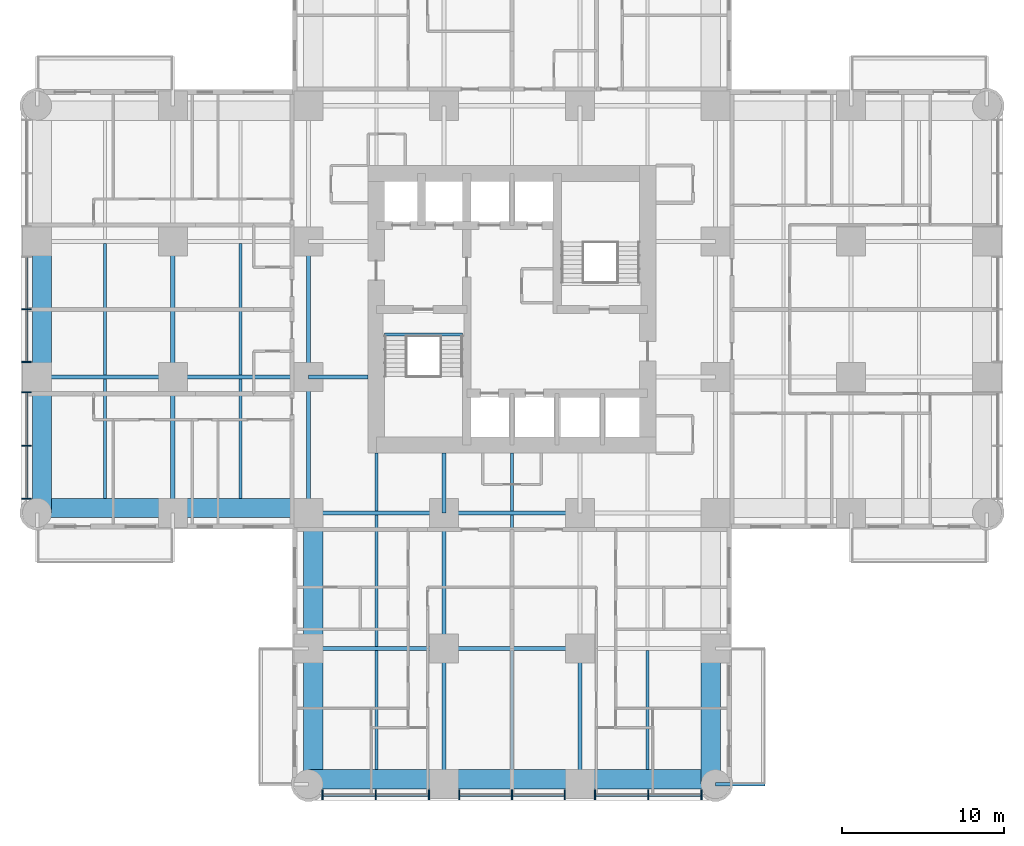
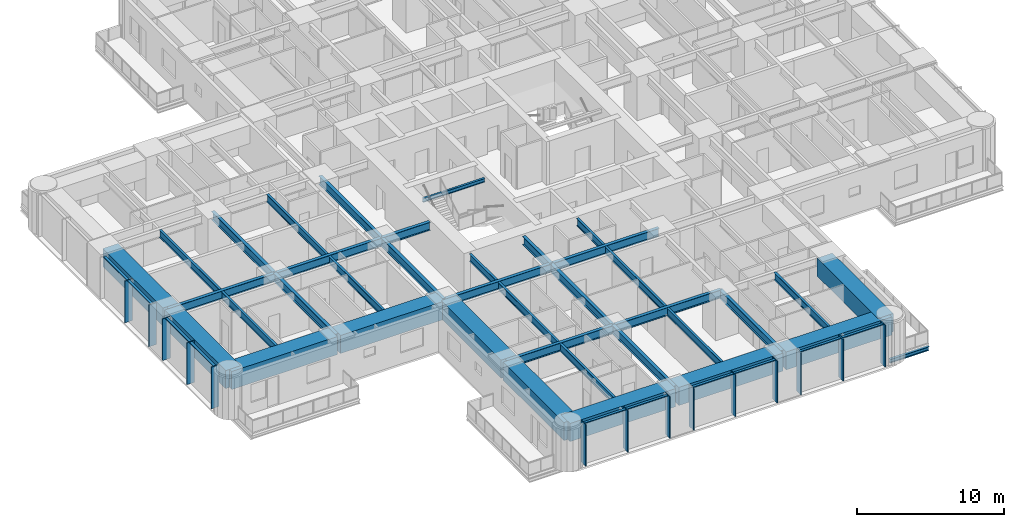
# One storey, part 2 of 17: 38 beams, 24 members, 2 elements without a shape of their own.
"""IFC4 building model written with IfcOpenShell, lengths in metres."""

from ifc_helpers import new_model, si_unit, direction, frame, origin, origin_2d, place, context, subcontext, project, spatial, rectangle, i_section, extrude, material, material_profile, profile_set, type_object, element, aggregate, save


model = new_model("IFC4")

# Units and contexts
model_context = context("Model", 3, precision=1e-05, world=origin(), true_north=direction((0.0, 1.0)))
body_context = subcontext(model_context, "Body", "Model", "MODEL_VIEW")
ifc_project = project(units=[si_unit("LENGTHUNIT", "METRE"), si_unit("AREAUNIT", "SQUARE_METRE"), si_unit("VOLUMEUNIT", "CUBIC_METRE"), si_unit("PLANEANGLEUNIT", "RADIAN"), si_unit("MASSUNIT", "GRAM", prefix="KILO")], contexts=[model_context])

# Site, building, storey
site_placement = place(None, origin())
site = spatial("IfcSite", under=ifc_project, at=site_placement, CompositionType="ELEMENT")
building_placement = place(site_placement, origin())
building = spatial("IfcBuilding", under=site, at=building_placement, Name="Torre Alcanfor", CompositionType="ELEMENT")
storey_placement = place(building_placement, frame((0.0, 0.0, 63.300048828125)))
storey = spatial("IfcBuildingStorey", under=building, at=storey_placement, Name="L15", CompositionType="ELEMENT", Elevation=63.300048828125)

# Beam
ifc_material_1 = material(Name="Steel ASTM A992 Grade 50", Category="steel")
ifc_material_profile_1 = material_profile(ifc_material_1, i_section(OverallWidth=0.205322265625, OverallDepth=0.309814453125, WebThickness=0.00927734375, FlangeThickness=0.016357421875, at=origin_2d()), Name="W12x50")
ifc_profile_set_1 = profile_set([ifc_material_profile_1], Name="Steel ASTM A992 Grade 50")
beam_type_1 = type_object("IfcBeamType", Name="Balcony cantilever beam W12x50", PredefinedType="BEAM", material=ifc_profile_set_1)
beam_1_placement = place(storey_placement, frame((42.0, 0.0, -0.35498046875), z_axis=(1.0, 0.0, 0.0), x_axis=(0.0, 1.0, 0.0)))
element("IfcBeam", 1, at=beam_1_placement, inside=storey, type_object=beam_type_1, Name="Balcony cantilever beam L15-S1 2", PredefinedType="BEAM", context=body_context, shape_type="SweptSolid", body=[
    extrude(i_section(OverallWidth=0.205322265625, OverallDepth=0.309814453125, WebThickness=0.00927734375, FlangeThickness=0.016357421875, at=origin_2d()), origin(), (0.0, 0.0, 1.0), 3.050048828125),
])

# Curtain wall, members
ifc_material_2 = material(Name="Aluminium and glass", Category="aluminium")
curtain_wall_type = type_object("IfcCurtainWallType", Name="CW-A unitised apartment glazing with vertical FIN", PredefinedType="NOTDEFINED", material=ifc_material_2)
curtain_wall_1_placement = place(storey_placement, origin())
curtain_wall_1 = element("IfcCurtainWall", 2, at=curtain_wall_1_placement, inside=storey, type_object=curtain_wall_type, Name="Curtain wall CW-A L15 2", PredefinedType="NOTDEFINED")
ifc_material_3 = material(Name="Bronze anodised aluminium", Category="aluminium")
ifc_material_profile_2 = material_profile(ifc_material_3, rectangle(XDim=0.60009765625, YDim=0.06494140625, at=origin_2d()), Name="CW-A mullion 65x600")
ifc_profile_set_2 = profile_set([ifc_material_profile_2], Name="Bronze anodised aluminium")
member_type_1 = type_object("IfcMemberType", Name="CW-A mullion with vertical FIN 65x600", PredefinedType="MULLION", material=ifc_profile_set_2)
member_1_placement = place(storey_placement, frame((-0.64990234375, 29.39990234375, 0.0), z_axis=(0.0, 0.0, 1.0), x_axis=(1.0, 0.0, 0.0)))
member_1 = element("IfcMember", 3, at=member_1_placement, type_object=member_type_1, Name="CW-A mullion 2.2", PredefinedType="MULLION", context=body_context, shape_type="SweptSolid", body=[
    extrude(rectangle(XDim=0.60009765625, YDim=0.06494140625, at=origin_2d()), origin(), (0.0, 0.0, 1.0), 3.449951171875),
])
member_2_placement = place(storey_placement, frame((-0.64990234375, 26.137451171875, 0.0), z_axis=(0.0, 0.0, 1.0), x_axis=(1.0, 0.0, 0.0)))
member_2 = element("IfcMember", 4, at=member_2_placement, type_object=member_type_1, Name="CW-A mullion 2.3", PredefinedType="MULLION", context=body_context, shape_type="SweptSolid", body=[
    extrude(rectangle(XDim=0.60009765625, YDim=0.06494140625, at=origin_2d()), origin(), (0.0, 0.0, 1.0), 3.449951171875),
])
member_3_placement = place(storey_placement, frame((-0.64990234375, 24.262451171875, 0.0), z_axis=(0.0, 0.0, 1.0), x_axis=(1.0, 0.0, 0.0)))
member_3 = element("IfcMember", 5, at=member_3_placement, type_object=member_type_1, Name="CW-A mullion 3.1", PredefinedType="MULLION", context=body_context, shape_type="SweptSolid", body=[
    extrude(rectangle(XDim=0.60009765625, YDim=0.06494140625, at=origin_2d()), origin(), (0.0, 0.0, 1.0), 3.449951171875),
])
member_4_placement = place(storey_placement, frame((-0.64990234375, 20.96484375, 0.0), z_axis=(0.0, 0.0, 1.0), x_axis=(1.0, 0.0, 0.0)))
member_4 = element("IfcMember", 6, at=member_4_placement, type_object=member_type_1, Name="CW-A mullion 3.2", PredefinedType="MULLION", context=body_context, shape_type="SweptSolid", body=[
    extrude(rectangle(XDim=0.60009765625, YDim=0.06494140625, at=origin_2d()), origin(), (0.0, 0.0, 1.0), 3.449951171875),
])
member_5_placement = place(storey_placement, frame((-0.64990234375, 17.6669921875, 0.0), z_axis=(0.0, 0.0, 1.0), x_axis=(1.0, 0.0, 0.0)))
member_5 = element("IfcMember", 7, at=member_5_placement, type_object=member_type_1, Name="CW-A mullion 3.3", PredefinedType="MULLION", context=body_context, shape_type="SweptSolid", body=[
    extrude(rectangle(XDim=0.60009765625, YDim=0.06494140625, at=origin_2d()), origin(), (0.0, 0.0, 1.0), 3.449951171875),
])

curtain_wall_2_placement = place(storey_placement, origin())
curtain_wall_2 = element("IfcCurtainWall", 8, at=curtain_wall_2_placement, inside=storey, type_object=curtain_wall_type, Name="Curtain wall CW-A L15 5", PredefinedType="NOTDEFINED")
member_6_placement = place(storey_placement, frame((17.6669921875, -0.64990234375, 0.0), z_axis=(0.0, 0.0, 1.0), x_axis=(0.0, 1.0, 0.0)))
member_6 = element("IfcMember", 9, at=member_6_placement, type_object=member_type_1, Name="CW-A mullion 1.1", PredefinedType="MULLION", context=body_context, shape_type="SweptSolid", body=[
    extrude(rectangle(XDim=0.60009765625, YDim=0.06494140625, at=origin_2d()), origin(), (0.0, 0.0, 1.0), 3.449951171875),
])
member_7_placement = place(storey_placement, frame((20.96484375, -0.64990234375, 0.0), z_axis=(0.0, 0.0, 1.0), x_axis=(0.0, 1.0, 0.0)))
member_7 = element("IfcMember", 10, at=member_7_placement, type_object=member_type_1, Name="CW-A mullion 1.2", PredefinedType="MULLION", context=body_context, shape_type="SweptSolid", body=[
    extrude(rectangle(XDim=0.60009765625, YDim=0.06494140625, at=origin_2d()), origin(), (0.0, 0.0, 1.0), 3.449951171875),
])
member_8_placement = place(storey_placement, frame((24.262451171875, -0.64990234375, 0.0), z_axis=(0.0, 0.0, 1.0), x_axis=(0.0, 1.0, 0.0)))
member_8 = element("IfcMember", 11, at=member_8_placement, type_object=member_type_1, Name="CW-A mullion 1.3", PredefinedType="MULLION", context=body_context, shape_type="SweptSolid", body=[
    extrude(rectangle(XDim=0.60009765625, YDim=0.06494140625, at=origin_2d()), origin(), (0.0, 0.0, 1.0), 3.449951171875),
])
member_9_placement = place(storey_placement, frame((26.137451171875, -0.64990234375, 0.0), z_axis=(0.0, 0.0, 1.0), x_axis=(0.0, 1.0, 0.0)))
member_9 = element("IfcMember", 12, at=member_9_placement, type_object=member_type_1, Name="CW-A mullion 2.1", PredefinedType="MULLION", context=body_context, shape_type="SweptSolid", body=[
    extrude(rectangle(XDim=0.60009765625, YDim=0.06494140625, at=origin_2d()), origin(), (0.0, 0.0, 1.0), 3.449951171875),
])
member_10_placement = place(storey_placement, frame((29.39990234375, -0.64990234375, 0.0), z_axis=(0.0, 0.0, 1.0), x_axis=(0.0, 1.0, 0.0)))
member_10 = element("IfcMember", 13, at=member_10_placement, type_object=member_type_1, Name="CW-A mullion 2.2", PredefinedType="MULLION", context=body_context, shape_type="SweptSolid", body=[
    extrude(rectangle(XDim=0.60009765625, YDim=0.06494140625, at=origin_2d()), origin(), (0.0, 0.0, 1.0), 3.449951171875),
])
member_11_placement = place(storey_placement, frame((32.66259765625, -0.64990234375, 0.0), z_axis=(0.0, 0.0, 1.0), x_axis=(0.0, 1.0, 0.0)))
member_11 = element("IfcMember", 14, at=member_11_placement, type_object=member_type_1, Name="CW-A mullion 2.3", PredefinedType="MULLION", context=body_context, shape_type="SweptSolid", body=[
    extrude(rectangle(XDim=0.60009765625, YDim=0.06494140625, at=origin_2d()), origin(), (0.0, 0.0, 1.0), 3.449951171875),
])
member_12_placement = place(storey_placement, frame((34.53759765625, -0.64990234375, 0.0), z_axis=(0.0, 0.0, 1.0), x_axis=(0.0, 1.0, 0.0)))
member_12 = element("IfcMember", 15, at=member_12_placement, type_object=member_type_1, Name="CW-A mullion 3.1", PredefinedType="MULLION", context=body_context, shape_type="SweptSolid", body=[
    extrude(rectangle(XDim=0.60009765625, YDim=0.06494140625, at=origin_2d()), origin(), (0.0, 0.0, 1.0), 3.449951171875),
])
member_13_placement = place(storey_placement, frame((37.835205078125, -0.64990234375, 0.0), z_axis=(0.0, 0.0, 1.0), x_axis=(0.0, 1.0, 0.0)))
member_13 = element("IfcMember", 16, at=member_13_placement, type_object=member_type_1, Name="CW-A mullion 3.2", PredefinedType="MULLION", context=body_context, shape_type="SweptSolid", body=[
    extrude(rectangle(XDim=0.60009765625, YDim=0.06494140625, at=origin_2d()), origin(), (0.0, 0.0, 1.0), 3.449951171875),
])
member_14_placement = place(storey_placement, frame((41.133056640625, -0.64990234375, 0.0), z_axis=(0.0, 0.0, 1.0), x_axis=(0.0, 1.0, 0.0)))
member_14 = element("IfcMember", 17, at=member_14_placement, type_object=member_type_1, Name="CW-A mullion 3.3", PredefinedType="MULLION", context=body_context, shape_type="SweptSolid", body=[
    extrude(rectangle(XDim=0.60009765625, YDim=0.06494140625, at=origin_2d()), origin(), (0.0, 0.0, 1.0), 3.449951171875),
])

# Member
ifc_material_4 = material(Name="Extruded aluminium", Category="aluminium")
ifc_material_profile_3 = material_profile(ifc_material_4, rectangle(XDim=0.199951171875, YDim=0.06494140625, at=origin_2d()), Name="CW-A transom 200x65")
ifc_profile_set_3 = profile_set([ifc_material_profile_3], Name="Extruded aluminium")
member_type_2 = type_object("IfcMemberType", Name="CW-A transom 65x200", PredefinedType="USERDEFINED", material=ifc_profile_set_3)
member_15_placement = place(storey_placement, frame((-0.64990234375, 32.6298828125, 3.41748046875), z_axis=(0.0, -1.0, 0.0), x_axis=(1.0, 0.0, 0.0)))
member_15 = element("IfcMember", 18, at=member_15_placement, type_object=member_type_2, Name="CW-A transom 2.1.2", ObjectType="TRANSOM", PredefinedType="USERDEFINED", context=body_context, shape_type="SweptSolid", body=[
    extrude(rectangle(XDim=0.199951171875, YDim=0.06494140625, at=origin_2d()), origin(), (0.0, 0.0, 1.0), 3.197265625),
])

member_16_placement = place(storey_placement, frame((-0.64990234375, 29.367431640625, 3.41748046875), z_axis=(0.0, -1.0, 0.0), x_axis=(1.0, 0.0, 0.0)))
member_16 = element("IfcMember", 19, at=member_16_placement, type_object=member_type_2, Name="CW-A transom 2.2.2", ObjectType="TRANSOM", PredefinedType="USERDEFINED", context=body_context, shape_type="SweptSolid", body=[
    extrude(rectangle(XDim=0.199951171875, YDim=0.06494140625, at=origin_2d()), origin(), (0.0, 0.0, 1.0), 3.197509765625),
])

member_17_placement = place(storey_placement, frame((-0.64990234375, 24.22998046875, 3.41748046875), z_axis=(0.0, -1.0, 0.0), x_axis=(1.0, 0.0, 0.0)))
member_17 = element("IfcMember", 20, at=member_17_placement, type_object=member_type_2, Name="CW-A transom 3.1.2", ObjectType="TRANSOM", PredefinedType="USERDEFINED", context=body_context, shape_type="SweptSolid", body=[
    extrude(rectangle(XDim=0.199951171875, YDim=0.06494140625, at=origin_2d()), origin(), (0.0, 0.0, 1.0), 3.232666015625),
])

member_18_placement = place(storey_placement, frame((-0.64990234375, 20.93212890625, 3.41748046875), z_axis=(0.0, -1.0, 0.0), x_axis=(1.0, 0.0, 0.0)))
member_18 = element("IfcMember", 21, at=member_18_placement, type_object=member_type_2, Name="CW-A transom 3.2.2", ObjectType="TRANSOM", PredefinedType="USERDEFINED", context=body_context, shape_type="SweptSolid", body=[
    extrude(rectangle(XDim=0.199951171875, YDim=0.06494140625, at=origin_2d()), origin(), (0.0, 0.0, 1.0), 3.232666015625),
])

aggregate(curtain_wall_1, [member_1, member_2, member_15, member_16, member_3, member_4, member_5, member_17, member_18])

member_19_placement = place(storey_placement, frame((17.699462890625, -0.64990234375, 3.41748046875), z_axis=(1.0, 0.0, 0.0), x_axis=(0.0, 1.0, 0.0)))
member_19 = element("IfcMember", 22, at=member_19_placement, type_object=member_type_2, Name="CW-A transom 1.1.2", ObjectType="TRANSOM", PredefinedType="USERDEFINED", context=body_context, shape_type="SweptSolid", body=[
    extrude(rectangle(XDim=0.199951171875, YDim=0.06494140625, at=origin_2d()), origin(), (0.0, 0.0, 1.0), 3.232666015625),
])

member_20_placement = place(storey_placement, frame((20.997314453125, -0.64990234375, 3.41748046875), z_axis=(1.0, 0.0, 0.0), x_axis=(0.0, 1.0, 0.0)))
member_20 = element("IfcMember", 23, at=member_20_placement, type_object=member_type_2, Name="CW-A transom 1.2.2", ObjectType="TRANSOM", PredefinedType="USERDEFINED", context=body_context, shape_type="SweptSolid", body=[
    extrude(rectangle(XDim=0.199951171875, YDim=0.06494140625, at=origin_2d()), origin(), (0.0, 0.0, 1.0), 3.232666015625),
])

member_21_placement = place(storey_placement, frame((26.169921875, -0.64990234375, 3.41748046875), z_axis=(1.0, 0.0, 0.0), x_axis=(0.0, 1.0, 0.0)))
member_21 = element("IfcMember", 24, at=member_21_placement, type_object=member_type_2, Name="CW-A transom 2.1.2", ObjectType="TRANSOM", PredefinedType="USERDEFINED", context=body_context, shape_type="SweptSolid", body=[
    extrude(rectangle(XDim=0.199951171875, YDim=0.06494140625, at=origin_2d()), origin(), (0.0, 0.0, 1.0), 3.197509765625),
])

member_22_placement = place(storey_placement, frame((29.4326171875, -0.64990234375, 3.41748046875), z_axis=(1.0, 0.0, 0.0), x_axis=(0.0, 1.0, 0.0)))
member_22 = element("IfcMember", 25, at=member_22_placement, type_object=member_type_2, Name="CW-A transom 2.2.2", ObjectType="TRANSOM", PredefinedType="USERDEFINED", context=body_context, shape_type="SweptSolid", body=[
    extrude(rectangle(XDim=0.199951171875, YDim=0.06494140625, at=origin_2d()), origin(), (0.0, 0.0, 1.0), 3.197265625),
])

member_23_placement = place(storey_placement, frame((34.570068359375, -0.64990234375, 3.41748046875), z_axis=(1.0, 0.0, 0.0), x_axis=(0.0, 1.0, 0.0)))
member_23 = element("IfcMember", 26, at=member_23_placement, type_object=member_type_2, Name="CW-A transom 3.1.2", ObjectType="TRANSOM", PredefinedType="USERDEFINED", context=body_context, shape_type="SweptSolid", body=[
    extrude(rectangle(XDim=0.199951171875, YDim=0.06494140625, at=origin_2d()), origin(), (0.0, 0.0, 1.0), 3.232666015625),
])

member_24_placement = place(storey_placement, frame((37.86767578125, -0.64990234375, 3.41748046875), z_axis=(1.0, 0.0, 0.0), x_axis=(0.0, 1.0, 0.0)))
member_24 = element("IfcMember", 27, at=member_24_placement, type_object=member_type_2, Name="CW-A transom 3.2.2", ObjectType="TRANSOM", PredefinedType="USERDEFINED", context=body_context, shape_type="SweptSolid", body=[
    extrude(rectangle(XDim=0.199951171875, YDim=0.06494140625, at=origin_2d()), origin(), (0.0, 0.0, 1.0), 3.23291015625),
])

aggregate(curtain_wall_2, [member_6, member_7, member_8, member_19, member_20, member_9, member_10, member_11, member_21, member_22, member_12, member_13, member_14, member_23, member_24])

# Beams
ifc_material_5 = material(Name="Steel ASTM A992 Grade 50", Category="steel")
ifc_material_profile_4 = material_profile(ifc_material_5, i_section(OverallWidth=0.25390625, OverallDepth=0.683349609375, WebThickness=0.012451171875, FlangeThickness=0.01904296875, at=origin_2d()), Name="W27x94")
ifc_profile_set_4 = profile_set([ifc_material_profile_4], Name="Steel ASTM A992 Grade 50")
beam_type_2 = type_object("IfcBeamType", Name="Girder W27x94", PredefinedType="BEAM", material=ifc_profile_set_4)
beam_2_placement = place(storey_placement, frame((16.800048828125, 8.39990234375, 3.1083984375), z_axis=(1.0, 0.0, 0.0), x_axis=(0.0, 1.0, 0.0)))
element("IfcBeam", 28, at=beam_2_placement, inside=storey, type_object=beam_type_2, Name="Beam 3D-4D under L16", PredefinedType="BEAM", context=body_context, shape_type="SweptSolid", body=[
    extrude(i_section(OverallWidth=0.25390625, OverallDepth=0.683349609375, WebThickness=0.012451171875, FlangeThickness=0.01904296875, at=origin_2d()), origin(), (0.0, 0.0, 1.0), 8.39990234375),
])
beam_3_placement = place(storey_placement, frame((25.199951171875, 8.39990234375, 3.1083984375), z_axis=(1.0, 0.0, 0.0), x_axis=(0.0, 1.0, 0.0)))
element("IfcBeam", 29, at=beam_3_placement, inside=storey, type_object=beam_type_2, Name="Beam 4D-5D under L16", PredefinedType="BEAM", context=body_context, shape_type="SweptSolid", body=[
    extrude(i_section(OverallWidth=0.25390625, OverallDepth=0.683349609375, WebThickness=0.012451171875, FlangeThickness=0.01904296875, at=origin_2d()), origin(), (0.0, 0.0, 1.0), 8.400146484375),
])
beam_4_placement = place(storey_placement, frame((16.800048828125, 16.800048828125, 3.1083984375), z_axis=(1.0, 0.0, 0.0), x_axis=(0.0, 1.0, 0.0)))
element("IfcBeam", 30, at=beam_4_placement, inside=storey, type_object=beam_type_2, Name="Beam 3E-4E under L16", PredefinedType="BEAM", context=body_context, shape_type="SweptSolid", body=[
    extrude(i_section(OverallWidth=0.25390625, OverallDepth=0.683349609375, WebThickness=0.012451171875, FlangeThickness=0.01904296875, at=origin_2d()), origin(), (0.0, 0.0, 1.0), 8.39990234375),
])
beam_5_placement = place(storey_placement, frame((25.199951171875, 16.800048828125, 3.1083984375), z_axis=(1.0, 0.0, 0.0), x_axis=(0.0, 1.0, 0.0)))
element("IfcBeam", 31, at=beam_5_placement, inside=storey, type_object=beam_type_2, Name="Beam 4E-5E under L16", PredefinedType="BEAM", context=body_context, shape_type="SweptSolid", body=[
    extrude(i_section(OverallWidth=0.25390625, OverallDepth=0.683349609375, WebThickness=0.012451171875, FlangeThickness=0.01904296875, at=origin_2d()), origin(), (0.0, 0.0, 1.0), 8.400146484375),
])
beam_6_placement = place(storey_placement, frame((0.0, 25.199951171875, 3.1083984375), z_axis=(1.0, 0.0, 0.0), x_axis=(0.0, 1.0, 0.0)))
element("IfcBeam", 32, at=beam_6_placement, inside=storey, type_object=beam_type_2, Name="Beam 1F-2F under L16", PredefinedType="BEAM", context=body_context, shape_type="SweptSolid", body=[
    extrude(i_section(OverallWidth=0.25390625, OverallDepth=0.683349609375, WebThickness=0.012451171875, FlangeThickness=0.01904296875, at=origin_2d()), origin(), (0.0, 0.0, 1.0), 8.39990234375),
])
beam_7_placement = place(storey_placement, frame((8.39990234375, 25.199951171875, 3.1083984375), z_axis=(1.0, 0.0, 0.0), x_axis=(0.0, 1.0, 0.0)))
element("IfcBeam", 33, at=beam_7_placement, inside=storey, type_object=beam_type_2, Name="Beam 2F-3F under L16", PredefinedType="BEAM", context=body_context, shape_type="SweptSolid", body=[
    extrude(i_section(OverallWidth=0.25390625, OverallDepth=0.683349609375, WebThickness=0.012451171875, FlangeThickness=0.01904296875, at=origin_2d()), origin(), (0.0, 0.0, 1.0), 8.400146484375),
])
beam_8_placement = place(storey_placement, frame((8.39990234375, 16.800048828125, 3.1083984375), z_axis=(0.0, 1.0, 0.0), x_axis=(-1.0, 0.0, 0.0)))
element("IfcBeam", 34, at=beam_8_placement, inside=storey, type_object=beam_type_2, Name="Beam 2E-2F under L16", PredefinedType="BEAM", context=body_context, shape_type="SweptSolid", body=[
    extrude(i_section(OverallWidth=0.25390625, OverallDepth=0.683349609375, WebThickness=0.012451171875, FlangeThickness=0.01904296875, at=origin_2d()), origin(), (0.0, 0.0, 1.0), 8.39990234375),
])
beam_9_placement = place(storey_placement, frame((8.39990234375, 25.199951171875, 3.1083984375), z_axis=(0.0, 1.0, 0.0), x_axis=(-1.0, 0.0, 0.0)))
element("IfcBeam", 35, at=beam_9_placement, inside=storey, type_object=beam_type_2, Name="Beam 2F-2G under L16", PredefinedType="BEAM", context=body_context, shape_type="SweptSolid", body=[
    extrude(i_section(OverallWidth=0.25390625, OverallDepth=0.683349609375, WebThickness=0.012451171875, FlangeThickness=0.01904296875, at=origin_2d()), origin(), (0.0, 0.0, 1.0), 8.400146484375),
])
beam_10_placement = place(storey_placement, frame((16.800048828125, 16.800048828125, 3.1083984375), z_axis=(0.0, 1.0, 0.0), x_axis=(-1.0, 0.0, 0.0)))
element("IfcBeam", 36, at=beam_10_placement, inside=storey, type_object=beam_type_2, Name="Beam 3E-3F under L16", PredefinedType="BEAM", context=body_context, shape_type="SweptSolid", body=[
    extrude(i_section(OverallWidth=0.25390625, OverallDepth=0.683349609375, WebThickness=0.012451171875, FlangeThickness=0.01904296875, at=origin_2d()), origin(), (0.0, 0.0, 1.0), 8.39990234375),
])
beam_11_placement = place(storey_placement, frame((16.800048828125, 25.199951171875, 3.1083984375), z_axis=(0.0, 1.0, 0.0), x_axis=(-1.0, 0.0, 0.0)))
element("IfcBeam", 37, at=beam_11_placement, inside=storey, type_object=beam_type_2, Name="Beam 3F-3G under L16", PredefinedType="BEAM", context=body_context, shape_type="SweptSolid", body=[
    extrude(i_section(OverallWidth=0.25390625, OverallDepth=0.683349609375, WebThickness=0.012451171875, FlangeThickness=0.01904296875, at=origin_2d()), origin(), (0.0, 0.0, 1.0), 8.400146484375),
])
beam_12_placement = place(storey_placement, frame((25.199951171875, 0.0, 3.1083984375), z_axis=(0.0, 1.0, 0.0), x_axis=(-1.0, 0.0, 0.0)))
element("IfcBeam", 38, at=beam_12_placement, inside=storey, type_object=beam_type_2, Name="Beam 4C-4D under L16", PredefinedType="BEAM", context=body_context, shape_type="SweptSolid", body=[
    extrude(i_section(OverallWidth=0.25390625, OverallDepth=0.683349609375, WebThickness=0.012451171875, FlangeThickness=0.01904296875, at=origin_2d()), origin(), (0.0, 0.0, 1.0), 8.39990234375),
])
beam_13_placement = place(storey_placement, frame((25.199951171875, 8.39990234375, 3.1083984375), z_axis=(0.0, 1.0, 0.0), x_axis=(-1.0, 0.0, 0.0)))
element("IfcBeam", 39, at=beam_13_placement, inside=storey, type_object=beam_type_2, Name="Beam 4D-4E under L16", PredefinedType="BEAM", context=body_context, shape_type="SweptSolid", body=[
    extrude(i_section(OverallWidth=0.25390625, OverallDepth=0.683349609375, WebThickness=0.012451171875, FlangeThickness=0.01904296875, at=origin_2d()), origin(), (0.0, 0.0, 1.0), 8.400146484375),
])
beam_14_placement = place(storey_placement, frame((33.60009765625, 0.0, 3.1083984375), z_axis=(0.0, 1.0, 0.0), x_axis=(-1.0, 0.0, 0.0)))
element("IfcBeam", 40, at=beam_14_placement, inside=storey, type_object=beam_type_2, Name="Beam 5C-5D under L16", PredefinedType="BEAM", context=body_context, shape_type="SweptSolid", body=[
    extrude(i_section(OverallWidth=0.25390625, OverallDepth=0.683349609375, WebThickness=0.012451171875, FlangeThickness=0.01904296875, at=origin_2d()), origin(), (0.0, 0.0, 1.0), 8.39990234375),
])
ifc_material_6 = material(Name="Steel ASTM A992 Grade 50", Category="steel")
ifc_material_profile_5 = material_profile(ifc_material_6, i_section(OverallWidth=0.25390625, OverallDepth=0.683349609375, WebThickness=0.012451171875, FlangeThickness=0.01904296875, at=origin_2d()), Name="W27x94")
ifc_profile_set_5 = profile_set([ifc_material_profile_5], Name="Steel ASTM A992 Grade 50")
beam_type_3 = type_object("IfcBeamType", Name="Girder, part bay W27x94", PredefinedType="BEAM", material=ifc_profile_set_5)
for number, where, z_axis, x_axis, name in (
    (41, (25.199951171875, 16.800048828125, 3.1083984375), (0.0, 1.0, 0.0), (-1.0, 0.0, 0.0), "Beam 4E-420_5 under L16"),
    (42, (16.800048828125, 25.199951171875, 3.1083984375), (1.0, 0.0, 0.0), (0.0, 1.0, 0.0), "Beam 3F-20_5F under L16"),
):
    element("IfcBeam", number, at=place(storey_placement, frame(where, z_axis=z_axis, x_axis=x_axis)), inside=storey, type_object=beam_type_3, Name=name, PredefinedType="BEAM", context=body_context, shape_type="SweptSolid", body=[
        extrude(i_section(OverallWidth=0.25390625, OverallDepth=0.683349609375, WebThickness=0.012451171875, FlangeThickness=0.01904296875, at=origin_2d()), origin(), (0.0, 0.0, 1.0), 3.699951171875),
    ])
ifc_material_7 = material(Name="Concrete f'c 70 MPa", Category="concrete")
ifc_material_profile_6 = material_profile(ifc_material_7, rectangle(XDim=1.199951171875, YDim=1.5, at=origin_2d()), Name="1200x1500")
ifc_profile_set_6 = profile_set([ifc_material_profile_6], Name="Concrete f'c 70 MPa")
beam_type_4 = type_object("IfcBeamType", Name="RC perimeter beam 1200x1500", PredefinedType="BEAM", material=ifc_profile_set_6)
beam_15_placement = place(storey_placement, frame((16.800048828125, 0.300048828125, 2.699951171875), z_axis=(1.0, 0.0, 0.0), x_axis=(0.0, 1.0, 0.0)))
element("IfcBeam", 43, at=beam_15_placement, inside=storey, type_object=beam_type_4, Name="Beam 3C-4C under L16", PredefinedType="BEAM", context=body_context, shape_type="SweptSolid", body=[
    extrude(rectangle(XDim=1.199951171875, YDim=1.5, at=origin_2d()), origin(), (0.0, 0.0, 1.0), 8.27294921875),
])
beam_16_placement = place(storey_placement, frame((25.326904296875, 0.300048828125, 2.699951171875), z_axis=(1.0, 0.0, 0.0), x_axis=(0.0, 1.0, 0.0)))
element("IfcBeam", 44, at=beam_16_placement, inside=storey, type_object=beam_type_4, Name="Beam 4C-5C under L16", PredefinedType="BEAM", context=body_context, shape_type="SweptSolid", body=[
    extrude(rectangle(XDim=1.199951171875, YDim=1.5, at=origin_2d()), origin(), (0.0, 0.0, 1.0), 8.14599609375),
])
for number, where, z_axis, x_axis, name in (
    (45, (33.72705078125, 0.300048828125, 2.699951171875), (1.0, 0.0, 0.0), (0.0, 1.0, 0.0), "Beam 5C-6C under L16"),
    (46, (0.0, 17.10009765625, 2.699951171875), (1.0, 0.0, 0.0), (0.0, 1.0, 0.0), "Beam 1E-2E under L16"),
):
    element("IfcBeam", number, at=place(storey_placement, frame(where, z_axis=z_axis, x_axis=x_axis)), inside=storey, type_object=beam_type_4, Name=name, PredefinedType="BEAM", context=body_context, shape_type="SweptSolid", body=[
        extrude(rectangle(XDim=1.199951171875, YDim=1.5, at=origin_2d()), origin(), (0.0, 0.0, 1.0), 8.27294921875),
    ])
beam_17_placement = place(storey_placement, frame((8.527099609375, 17.10009765625, 2.699951171875), z_axis=(1.0, 0.0, 0.0), x_axis=(0.0, 1.0, 0.0)))
element("IfcBeam", 47, at=beam_17_placement, inside=storey, type_object=beam_type_4, Name="Beam 2E-3E under L16", PredefinedType="BEAM", context=body_context, shape_type="SweptSolid", body=[
    extrude(rectangle(XDim=1.199951171875, YDim=1.5, at=origin_2d()), origin(), (0.0, 0.0, 1.0), 8.14599609375),
])
beam_18_placement = place(storey_placement, frame((0.300048828125, 16.800048828125, 2.699951171875), z_axis=(0.0, 1.0, 0.0), x_axis=(-1.0, 0.0, 0.0)))
element("IfcBeam", 48, at=beam_18_placement, inside=storey, type_object=beam_type_4, Name="Beam 1E-1F under L16", PredefinedType="BEAM", context=body_context, shape_type="SweptSolid", body=[
    extrude(rectangle(XDim=1.199951171875, YDim=1.5, at=origin_2d()), origin(), (0.0, 0.0, 1.0), 8.27294921875),
])
beam_19_placement = place(storey_placement, frame((0.300048828125, 25.326904296875, 2.699951171875), z_axis=(0.0, 1.0, 0.0), x_axis=(-1.0, 0.0, 0.0)))
element("IfcBeam", 49, at=beam_19_placement, inside=storey, type_object=beam_type_4, Name="Beam 1F-1G under L16", PredefinedType="BEAM", context=body_context, shape_type="SweptSolid", body=[
    extrude(rectangle(XDim=1.199951171875, YDim=1.5, at=origin_2d()), origin(), (0.0, 0.0, 1.0), 8.14599609375),
])
beam_20_placement = place(storey_placement, frame((17.10009765625, 0.0, 2.699951171875), z_axis=(0.0, 1.0, 0.0), x_axis=(-1.0, 0.0, 0.0)))
element("IfcBeam", 50, at=beam_20_placement, inside=storey, type_object=beam_type_4, Name="Beam 3C-3D under L16", PredefinedType="BEAM", context=body_context, shape_type="SweptSolid", body=[
    extrude(rectangle(XDim=1.199951171875, YDim=1.5, at=origin_2d()), origin(), (0.0, 0.0, 1.0), 8.27294921875),
])
beam_21_placement = place(storey_placement, frame((17.10009765625, 8.527099609375, 2.699951171875), z_axis=(0.0, 1.0, 0.0), x_axis=(-1.0, 0.0, 0.0)))
element("IfcBeam", 51, at=beam_21_placement, inside=storey, type_object=beam_type_4, Name="Beam 3D-3E under L16", PredefinedType="BEAM", context=body_context, shape_type="SweptSolid", body=[
    extrude(rectangle(XDim=1.199951171875, YDim=1.5, at=origin_2d()), origin(), (0.0, 0.0, 1.0), 8.14599609375),
])
beam_22_placement = place(storey_placement, frame((41.699951171875, 0.0, 2.699951171875), z_axis=(0.0, 1.0, 0.0), x_axis=(-1.0, 0.0, 0.0)))
element("IfcBeam", 52, at=beam_22_placement, inside=storey, type_object=beam_type_4, Name="Beam 6C-6D under L16", PredefinedType="BEAM", context=body_context, shape_type="SweptSolid", body=[
    extrude(rectangle(XDim=1.199951171875, YDim=1.5, at=origin_2d()), origin(), (0.0, 0.0, 1.0), 8.27294921875),
])
ifc_material_8 = material(Name="Steel ASTM A992 Grade 50", Category="steel")
ifc_material_profile_7 = material_profile(ifc_material_8, i_section(OverallWidth=0.1787109375, OverallDepth=0.60205078125, WebThickness=0.010986328125, FlangeThickness=0.014892578125, at=origin_2d()), Name="W24x62")
ifc_profile_set_7 = profile_set([ifc_material_profile_7], Name="Steel ASTM A992 Grade 50")
beam_type_5 = type_object("IfcBeamType", Name="Secondary beam W24x62", PredefinedType="BEAM", material=ifc_profile_set_7)
beam_23_placement = place(storey_placement, frame((4.199951171875, 17.699951171875, 3.14892578125), z_axis=(0.0, 1.0, 0.0), x_axis=(-1.0, 0.0, 0.0)))
element("IfcBeam", 53, at=beam_23_placement, inside=storey, type_object=beam_type_5, Name="Beam 4_2E-4_2F under L16", PredefinedType="BEAM", context=body_context, shape_type="SweptSolid", body=[
    extrude(i_section(OverallWidth=0.1787109375, OverallDepth=0.60205078125, WebThickness=0.010986328125, FlangeThickness=0.014892578125, at=origin_2d()), origin(), (0.0, 0.0, 1.0), 7.373046875),
])
beam_24_placement = place(storey_placement, frame((4.199951171875, 25.326904296875, 3.14892578125), z_axis=(0.0, 1.0, 0.0), x_axis=(-1.0, 0.0, 0.0)))
element("IfcBeam", 54, at=beam_24_placement, inside=storey, type_object=beam_type_5, Name="Beam 4_2F-4_2G under L16", PredefinedType="BEAM", context=body_context, shape_type="SweptSolid", body=[
    extrude(i_section(OverallWidth=0.1787109375, OverallDepth=0.60205078125, WebThickness=0.010986328125, FlangeThickness=0.014892578125, at=origin_2d()), origin(), (0.0, 0.0, 1.0), 8.14599609375),
])
beam_25_placement = place(storey_placement, frame((12.60009765625, 17.699951171875, 3.14892578125), z_axis=(0.0, 1.0, 0.0), x_axis=(-1.0, 0.0, 0.0)))
element("IfcBeam", 55, at=beam_25_placement, inside=storey, type_object=beam_type_5, Name="Beam 12_6E-12_6F under L16", PredefinedType="BEAM", context=body_context, shape_type="SweptSolid", body=[
    extrude(i_section(OverallWidth=0.1787109375, OverallDepth=0.60205078125, WebThickness=0.010986328125, FlangeThickness=0.014892578125, at=origin_2d()), origin(), (0.0, 0.0, 1.0), 7.373046875),
])
beam_26_placement = place(storey_placement, frame((12.60009765625, 25.326904296875, 3.14892578125), z_axis=(0.0, 1.0, 0.0), x_axis=(-1.0, 0.0, 0.0)))
element("IfcBeam", 56, at=beam_26_placement, inside=storey, type_object=beam_type_5, Name="Beam 12_6F-12_6G under L16", PredefinedType="BEAM", context=body_context, shape_type="SweptSolid", body=[
    extrude(i_section(OverallWidth=0.1787109375, OverallDepth=0.60205078125, WebThickness=0.010986328125, FlangeThickness=0.014892578125, at=origin_2d()), origin(), (0.0, 0.0, 1.0), 8.14599609375),
])
beam_27_placement = place(storey_placement, frame((21.0, 0.89990234375, 3.14892578125), z_axis=(0.0, 1.0, 0.0), x_axis=(-1.0, 0.0, 0.0)))
element("IfcBeam", 57, at=beam_27_placement, inside=storey, type_object=beam_type_5, Name="Beam 21C-21D under L16", PredefinedType="BEAM", context=body_context, shape_type="SweptSolid", body=[
    extrude(i_section(OverallWidth=0.1787109375, OverallDepth=0.60205078125, WebThickness=0.010986328125, FlangeThickness=0.014892578125, at=origin_2d()), origin(), (0.0, 0.0, 1.0), 7.373046875),
])
beam_28_placement = place(storey_placement, frame((21.0, 8.527099609375, 3.14892578125), z_axis=(0.0, 1.0, 0.0), x_axis=(-1.0, 0.0, 0.0)))
element("IfcBeam", 58, at=beam_28_placement, inside=storey, type_object=beam_type_5, Name="Beam 21D-21E under L16", PredefinedType="BEAM", context=body_context, shape_type="SweptSolid", body=[
    extrude(i_section(OverallWidth=0.1787109375, OverallDepth=0.60205078125, WebThickness=0.010986328125, FlangeThickness=0.014892578125, at=origin_2d()), origin(), (0.0, 0.0, 1.0), 8.14599609375),
])
beam_29_placement = place(storey_placement, frame((29.39990234375, 0.89990234375, 3.14892578125), z_axis=(0.0, 1.0, 0.0), x_axis=(-1.0, 0.0, 0.0)))
element("IfcBeam", 59, at=beam_29_placement, inside=storey, type_object=beam_type_5, Name="Beam 29_4C-29_4D under L16", PredefinedType="BEAM", context=body_context, shape_type="SweptSolid", body=[
    extrude(i_section(OverallWidth=0.1787109375, OverallDepth=0.60205078125, WebThickness=0.010986328125, FlangeThickness=0.014892578125, at=origin_2d()), origin(), (0.0, 0.0, 1.0), 7.373046875),
])
beam_30_placement = place(storey_placement, frame((29.39990234375, 8.527099609375, 3.14892578125), z_axis=(0.0, 1.0, 0.0), x_axis=(-1.0, 0.0, 0.0)))
element("IfcBeam", 60, at=beam_30_placement, inside=storey, type_object=beam_type_5, Name="Beam 29_4D-29_4E under L16", PredefinedType="BEAM", context=body_context, shape_type="SweptSolid", body=[
    extrude(i_section(OverallWidth=0.1787109375, OverallDepth=0.60205078125, WebThickness=0.010986328125, FlangeThickness=0.014892578125, at=origin_2d()), origin(), (0.0, 0.0, 1.0), 8.14599609375),
])
beam_31_placement = place(storey_placement, frame((37.800048828125, 0.89990234375, 3.14892578125), z_axis=(0.0, 1.0, 0.0), x_axis=(-1.0, 0.0, 0.0)))
element("IfcBeam", 61, at=beam_31_placement, inside=storey, type_object=beam_type_5, Name="Beam 37_8C-37_8D under L16", PredefinedType="BEAM", context=body_context, shape_type="SweptSolid", body=[
    extrude(i_section(OverallWidth=0.1787109375, OverallDepth=0.60205078125, WebThickness=0.010986328125, FlangeThickness=0.014892578125, at=origin_2d()), origin(), (0.0, 0.0, 1.0), 7.373046875),
])
ifc_material_9 = material(Name="Steel ASTM A992 Grade 50", Category="steel")
ifc_material_profile_8 = material_profile(ifc_material_9, i_section(OverallWidth=0.1787109375, OverallDepth=0.60205078125, WebThickness=0.010986328125, FlangeThickness=0.014892578125, at=origin_2d()), Name="W24x62")
ifc_profile_set_8 = profile_set([ifc_material_profile_8], Name="Steel ASTM A992 Grade 50")
beam_type_6 = type_object("IfcBeamType", Name="Secondary beam, part bay W24x62", PredefinedType="BEAM", material=ifc_profile_set_8)
for number, where, z_axis, x_axis, name in (
    (62, (21.0, 16.927001953125, 3.14892578125), (0.0, 1.0, 0.0), (-1.0, 0.0, 0.0), "Beam 21E-2120_5 under L16"),
    (63, (29.39990234375, 16.927001953125, 3.14892578125), (0.0, 1.0, 0.0), (-1.0, 0.0, 0.0), "Beam 29_4E-29_420_5 under L16"),
):
    element("IfcBeam", number, at=place(storey_placement, frame(where, z_axis=z_axis, x_axis=x_axis)), inside=storey, type_object=beam_type_6, Name=name, PredefinedType="BEAM", context=body_context, shape_type="SweptSolid", body=[
        extrude(i_section(OverallWidth=0.1787109375, OverallDepth=0.60205078125, WebThickness=0.010986328125, FlangeThickness=0.014892578125, at=origin_2d()), origin(), (0.0, 0.0, 1.0), 3.572998046875),
    ])
ifc_material_10 = material(Name="Steel ASTM A992 Grade 50", Category="steel")
ifc_material_profile_9 = material_profile(ifc_material_10, i_section(OverallWidth=0.164794921875, OverallDepth=0.309814453125, WebThickness=0.005859375, FlangeThickness=0.009765625, at=origin_2d()), Name="W12x26")
ifc_profile_set_9 = profile_set([ifc_material_profile_9], Name="Steel ASTM A992 Grade 50")
beam_type_7 = type_object("IfcBeamType", Name="Stair landing beam W12x26", PredefinedType="BEAM", material=ifc_profile_set_9)
beam_32_placement = place(storey_placement, frame((21.5, 27.83740234375, 3.2451171875), z_axis=(1.0, 0.0, 0.0), x_axis=(0.0, 1.0, 0.0)))
element("IfcBeam", 64, at=beam_32_placement, inside=storey, type_object=beam_type_7, Name="Landing trimmer S1 L16", PredefinedType="BEAM", context=body_context, shape_type="SweptSolid", body=[
    extrude(i_section(OverallWidth=0.164794921875, OverallDepth=0.309814453125, WebThickness=0.005859375, FlangeThickness=0.009765625, at=origin_2d()), origin(), (0.0, 0.0, 1.0), 4.85009765625),
])

save(model, "model.ifc")
